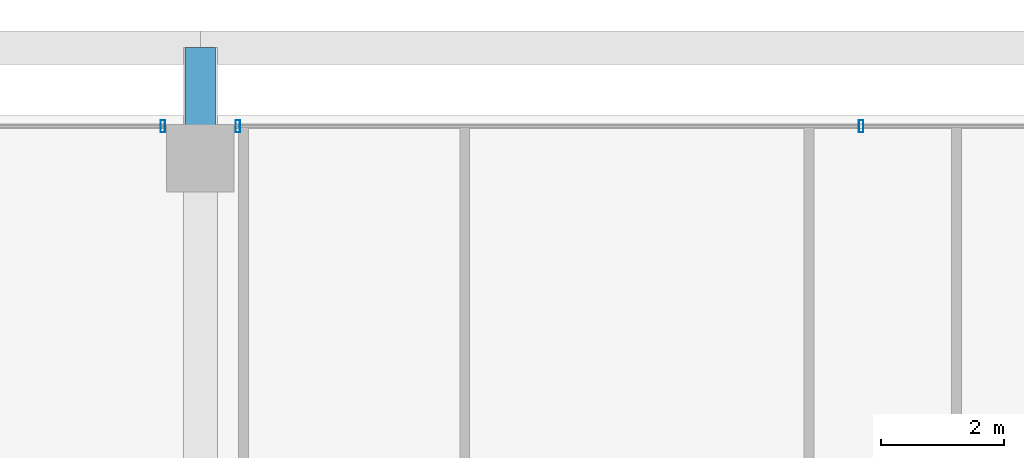
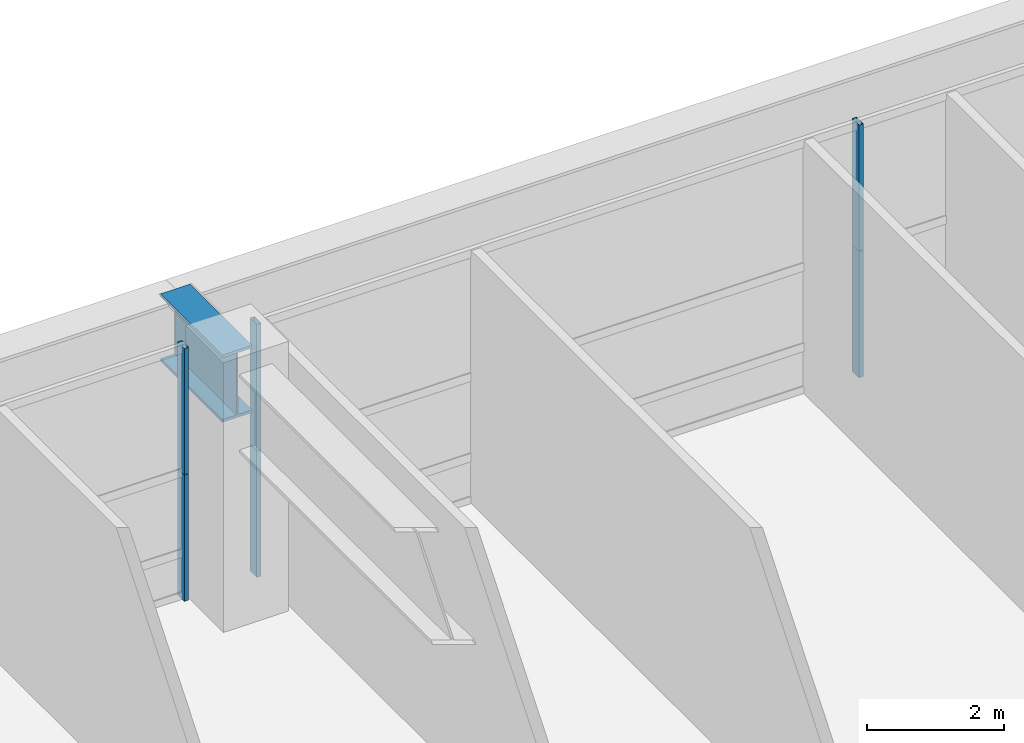
# One storey, part 21 of 34: 6 members, 1 beam, 2 elements without a shape of their own.
"""IFC4 building model written with IfcOpenShell, lengths in metres."""

from ifc_helpers import new_model, si_unit, direction, frame, origin, origin_2d, place, context, subcontext, project, spatial, hollow_rectangle, i_section, extrude, source, transform, mapped, material, layer, layer_set, material_profile, profile_set, type_object, element, aggregate, save


model = new_model("IFC4")

# Units and contexts
model_context = context("Model", 3, precision=1e-05, world=origin(), true_north=direction((0.0, 1.0)))
body_context = subcontext(model_context, "Body", "Model", "MODEL_VIEW")
ifc_project = project(units=[si_unit("LENGTHUNIT", "METRE"), si_unit("AREAUNIT", "SQUARE_METRE"), si_unit("VOLUMEUNIT", "CUBIC_METRE"), si_unit("PLANEANGLEUNIT", "RADIAN"), si_unit("MASSUNIT", "GRAM", prefix="KILO"), si_unit("THERMODYNAMICTEMPERATUREUNIT", "KELVIN"), si_unit("POWERUNIT", "WATT")], contexts=[model_context])

# Site, building, storey
site_placement = place(None, origin())
site = spatial("IfcSite", under=ifc_project, at=site_placement, CompositionType="ELEMENT")
building_placement = place(site_placement, origin())
building = spatial("IfcBuilding", under=site, at=building_placement, Name="Yuzanri Waterfront Tower", CompositionType="ELEMENT")
storey_placement = place(building_placement, frame((0.0, 0.0, 25.800048828125)))
storey = spatial("IfcBuildingStorey", under=building, at=storey_placement, Name="L06", CompositionType="ELEMENT", Elevation=25.800048828125)

# Beam
ifc_material_1 = material(Name="Steel Q420GJC", Category="steel")
ifc_material_profile_1 = material_profile(ifc_material_1, i_section(OverallWidth=0.5, OverallDepth=1.199951171875, WebThickness=0.028076171875, FlangeThickness=0.050048828125, at=origin_2d()), Name="PG 1200x500x28x50")
ifc_profile_set_1 = profile_set([ifc_material_profile_1], Name="Steel Q420GJC")
beam_type = type_object("IfcBeamType", Name="Setback Transfer Girder Q420GJC PG 1200x500", PredefinedType="USERDEFINED", material=ifc_profile_set_1)
shared_shape_1 = source(origin(), body_context, "Body", "SweptSolid", [
    extrude(i_section(OverallWidth=0.5, OverallDepth=1.199951171875, WebThickness=0.028076171875, FlangeThickness=0.050048828125, at=origin_2d()), origin(), (0.0, 0.0, 1.0), 1.7998046875),
])
beam_placement = place(storey_placement, frame((37.0, 50.89990234375, 3.89990234375), z_axis=(0.0, -1.0, 0.0), x_axis=(1.0, 0.0, 0.0)))
element("IfcBeam", 1, at=beam_placement, inside=storey, type_object=beam_type, Name="L06 Tower Base Transfer N2B", ObjectType="GIRDER", PredefinedType="USERDEFINED", context=body_context, shape_type="MappedRepresentation", body=[
    mapped(shared_shape_1, transform((0.0, 0.0, 0.0), scale=1.0)),
])

# Curtain wall, members
ifc_material_2 = material(Name="Anodized Architectural Bronze", Category="metal")
ifc_layer = layer(ifc_material_2, 0.159912109375)
ifc_layer_set = layer_set([ifc_layer], Name="Anodized Architectural Bronze")
curtain_wall_type = type_object("IfcCurtainWallType", Name="Anodized Bronze Podium Waterfront Double-Height Unitized Curtain Wall 8400", PredefinedType="NOTDEFINED", material=ifc_layer_set)
curtain_wall_1_placement = place(storey_placement, origin())
curtain_wall_1 = element("IfcCurtainWall", 2, at=curtain_wall_1_placement, inside=storey, type_object=curtain_wall_type, Name="L06 Curtain Wall CW-L06-N1", PredefinedType="NOTDEFINED")
ifc_material_3 = material(Name="Anodized Architectural Bronze", Category="metal")
ifc_material_profile_2 = material_profile(ifc_material_3, hollow_rectangle(XDim=0.074951171875, YDim=0.199951171875, WallThickness=0.00390625, at=origin_2d()), Name="CWM 75x200")
ifc_profile_set_2 = profile_set([ifc_material_profile_2], Name="Anodized Architectural Bronze")
member_type = type_object("IfcMemberType", Name="Anodized Bronze Primary Curtain-Wall Mullion 75x200", PredefinedType="MULLION", material=ifc_profile_set_2)
shared_shape_2 = source(origin(), body_context, "Body", "SweptSolid", [
    extrude(hollow_rectangle(XDim=0.074951171875, YDim=0.199951171875, WallThickness=0.00390625, at=origin_2d()), origin(), (0.0, 0.0, 1.0), 2.248046875),
])
member_1_placement = place(storey_placement, frame((36.389892578125, 49.6201171875, 0.0), z_axis=(0.0, 0.0, 1.0), x_axis=(1.0, 0.0, 0.0)))
member_1 = element("IfcMember", 3, at=member_1_placement, type_object=member_type, Name="CW-L06-N1 Lower Mullion 02", PredefinedType="MULLION", context=body_context, shape_type="MappedRepresentation", body=[
    mapped(shared_shape_2, transform((0.0, 0.0, 0.0), scale=1.0)),
])
member_2_placement = place(storey_placement, frame((36.389892578125, 49.6201171875, 2.251953125), z_axis=(0.0, 0.0, 1.0), x_axis=(1.0, 0.0, 0.0)))
member_2 = element("IfcMember", 4, at=member_2_placement, type_object=member_type, Name="CW-L06-N1 Upper Mullion 02", PredefinedType="MULLION", context=body_context, shape_type="MappedRepresentation", body=[
    mapped(shared_shape_2, transform((0.0, 0.0, 0.0), scale=1.0)),
])
aggregate(curtain_wall_1, [member_1, member_2])

curtain_wall_2_placement = place(storey_placement, origin())
curtain_wall_2 = element("IfcCurtainWall", 5, at=curtain_wall_2_placement, inside=storey, type_object=curtain_wall_type, Name="L06 Curtain Wall CW-L06-N2", PredefinedType="NOTDEFINED")
member_3_placement = place(storey_placement, frame((37.610107421875, 49.6201171875, 0.0), z_axis=(0.0, 0.0, 1.0), x_axis=(1.0, 0.0, 0.0)))
member_3 = element("IfcMember", 6, at=member_3_placement, type_object=member_type, Name="CW-L06-N2 Lower Mullion 00", PredefinedType="MULLION", context=body_context, shape_type="MappedRepresentation", body=[
    mapped(shared_shape_2, transform((0.0, 0.0, 0.0), scale=1.0)),
])
member_4_placement = place(storey_placement, frame((37.610107421875, 49.6201171875, 2.251953125), z_axis=(0.0, 0.0, 1.0), x_axis=(1.0, 0.0, 0.0)))
member_4 = element("IfcMember", 7, at=member_4_placement, type_object=member_type, Name="CW-L06-N2 Upper Mullion 00", PredefinedType="MULLION", context=body_context, shape_type="MappedRepresentation", body=[
    mapped(shared_shape_2, transform((0.0, 0.0, 0.0), scale=1.0)),
])
member_5_placement = place(storey_placement, frame((47.75, 49.6201171875, 0.0), z_axis=(0.0, 0.0, 1.0), x_axis=(1.0, 0.0, 0.0)))
member_5 = element("IfcMember", 8, at=member_5_placement, type_object=member_type, Name="CW-L06-N2 Lower Mullion 01", PredefinedType="MULLION", context=body_context, shape_type="MappedRepresentation", body=[
    mapped(shared_shape_2, transform((0.0, 0.0, 0.0), scale=1.0)),
])
member_6_placement = place(storey_placement, frame((47.75, 49.6201171875, 2.251953125), z_axis=(0.0, 0.0, 1.0), x_axis=(1.0, 0.0, 0.0)))
member_6 = element("IfcMember", 9, at=member_6_placement, type_object=member_type, Name="CW-L06-N2 Upper Mullion 01", PredefinedType="MULLION", context=body_context, shape_type="MappedRepresentation", body=[
    mapped(shared_shape_2, transform((0.0, 0.0, 0.0), scale=1.0)),
])
aggregate(curtain_wall_2, [member_3, member_4, member_5, member_6])

save(model, "model.ifc")
